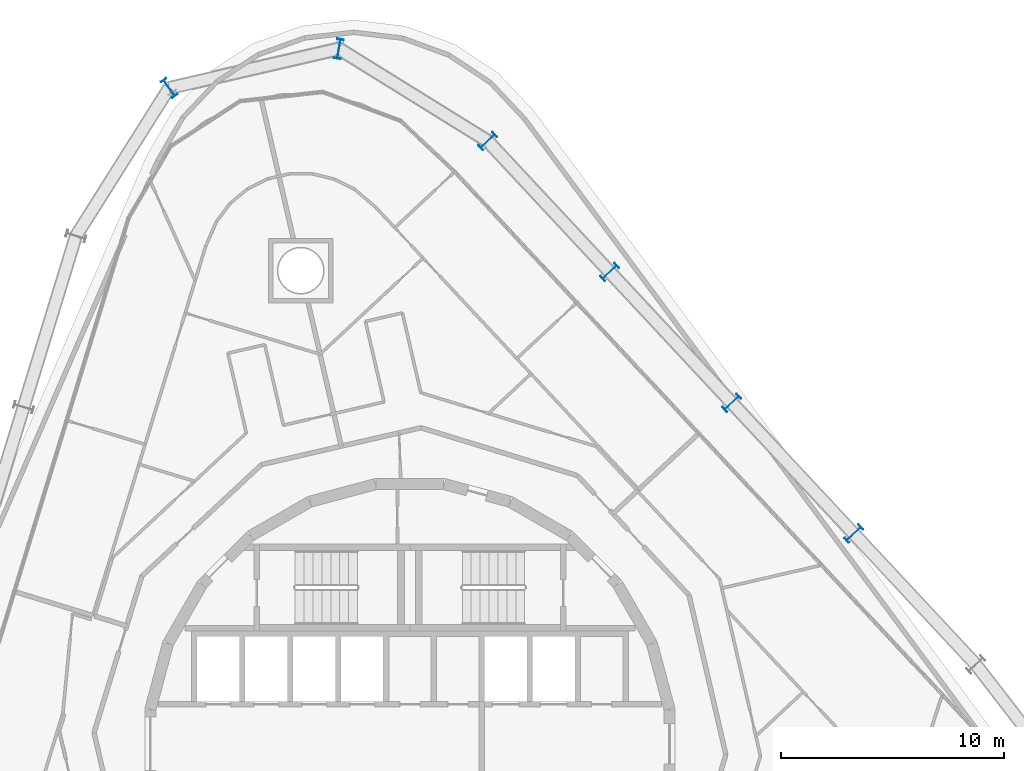
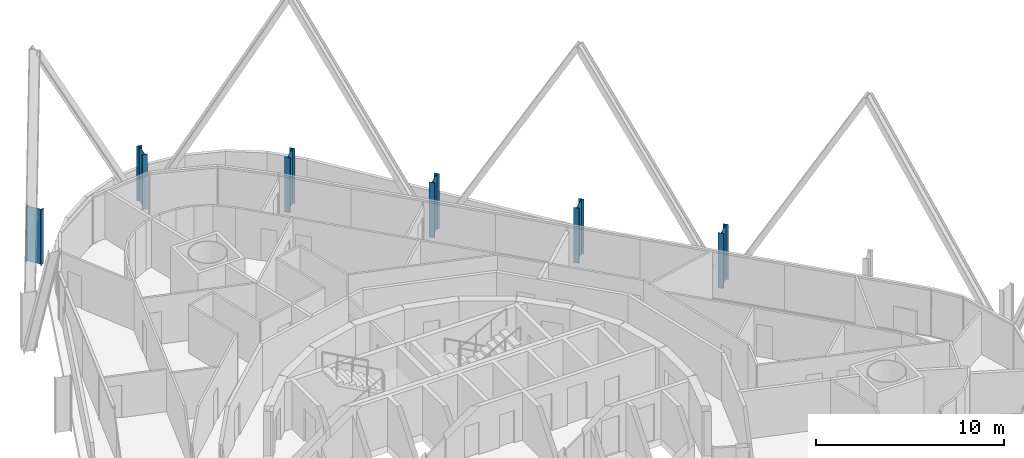
# One storey, part 2 of 18: 6 columns.
"""IFC4 building model written with IfcOpenShell, lengths in metres."""

from ifc_helpers import new_model, si_unit, direction, frame, origin, origin_2d, place, context, subcontext, project, spatial, i_section, extrude, material, material_profile, profile_set, type_object, element, save


model = new_model("IFC4")

# Units and contexts
model_context = context("Model", 3, precision=1e-05, world=origin(), true_north=direction((0.0, 1.0)))
body_context = subcontext(model_context, "Body", "Model", "MODEL_VIEW")
ifc_project = project(units=[si_unit("LENGTHUNIT", "METRE"), si_unit("AREAUNIT", "SQUARE_METRE"), si_unit("VOLUMEUNIT", "CUBIC_METRE"), si_unit("PLANEANGLEUNIT", "RADIAN"), si_unit("MASSUNIT", "GRAM", prefix="KILO")], contexts=[model_context])

# Site, building, storey
site_placement = place(None, origin())
site = spatial("IfcSite", under=ifc_project, at=site_placement, CompositionType="ELEMENT")
building_placement = place(site_placement, origin())
building = spatial("IfcBuilding", under=site, at=building_placement, Name="Spindle Arch Residences", CompositionType="ELEMENT")
storey_placement = place(building_placement, frame((0.0, 0.0, 113.39990234375)))
storey = spatial("IfcBuildingStorey", under=building, at=storey_placement, Name="L27", CompositionType="ELEMENT", Elevation=113.39990234375)

# Columns
ifc_material = material(Name="Steel S460ML, intumescent coating R 240", Category="steel")
ifc_material_profile = material_profile(ifc_material, i_section(OverallWidth=0.300048828125, OverallDepth=0.89990234375, WebThickness=0.0185546875, FlangeThickness=0.034912109375, FilletRadius=0.030029296875, at=origin_2d()), Name="HEB 900")
ifc_profile_set = profile_set([ifc_material_profile], Name="Steel S460ML, intumescent coating R 240")
column_type = type_object("IfcColumnType", Name="Exoskeleton post HEB 900", PredefinedType="COLUMN", material=ifc_profile_set)
for number, where, z_axis, x_axis, name in (
    (1, (19.9150390625, 9.42236328125, -0.449951171875), (0.0, 0.0, 1.0), (0.68199801865, -0.731354019992, 0.0), "Exoskeleton post 7"),
    (2, (14.439208984375, 15.29443359375, -0.449951171875), (0.0, 0.0, 1.0), (0.68199801865, -0.731354019992, 0.0), "Exoskeleton post 8"),
    (3, (8.963134765625, 21.16650390625, -0.449951171875), (0.0, 0.0, 1.0), (0.68199801865, -0.731354019992, 0.0), "Exoskeleton post 9"),
    (4, (3.4873046875, 27.038818359375, -0.449951171875), (0.0, 0.0, 1.0), (0.68199801865, -0.731354019992, 0.0), "Exoskeleton post 10"),
    (5, (-3.185302734375, 31.177001953125, -0.449951171875), (0.0, 0.0, 1.0), (0.985484585876, -0.169764928655, 0.0), "Exoskeleton post 11"),
    (6, (-10.80419921875, 29.41796875, -0.449951171875), (0.0, 0.0, 1.0), (0.811328097008, 0.584591069898, 0.0), "Exoskeleton post 12"),
):
    element("IfcColumn", number, at=place(storey_placement, frame(where, z_axis=z_axis, x_axis=x_axis)), inside=storey, type_object=column_type, Name=name, PredefinedType="COLUMN", context=body_context, shape_type="SweptSolid", body=[
        extrude(i_section(OverallWidth=0.300048828125, OverallDepth=0.89990234375, WebThickness=0.0185546875, FlangeThickness=0.034912109375, FilletRadius=0.030029296875, at=origin_2d()), origin(), (0.0, 0.0, 1.0), 3.570068359375),
    ])

save(model, "model.ifc")
